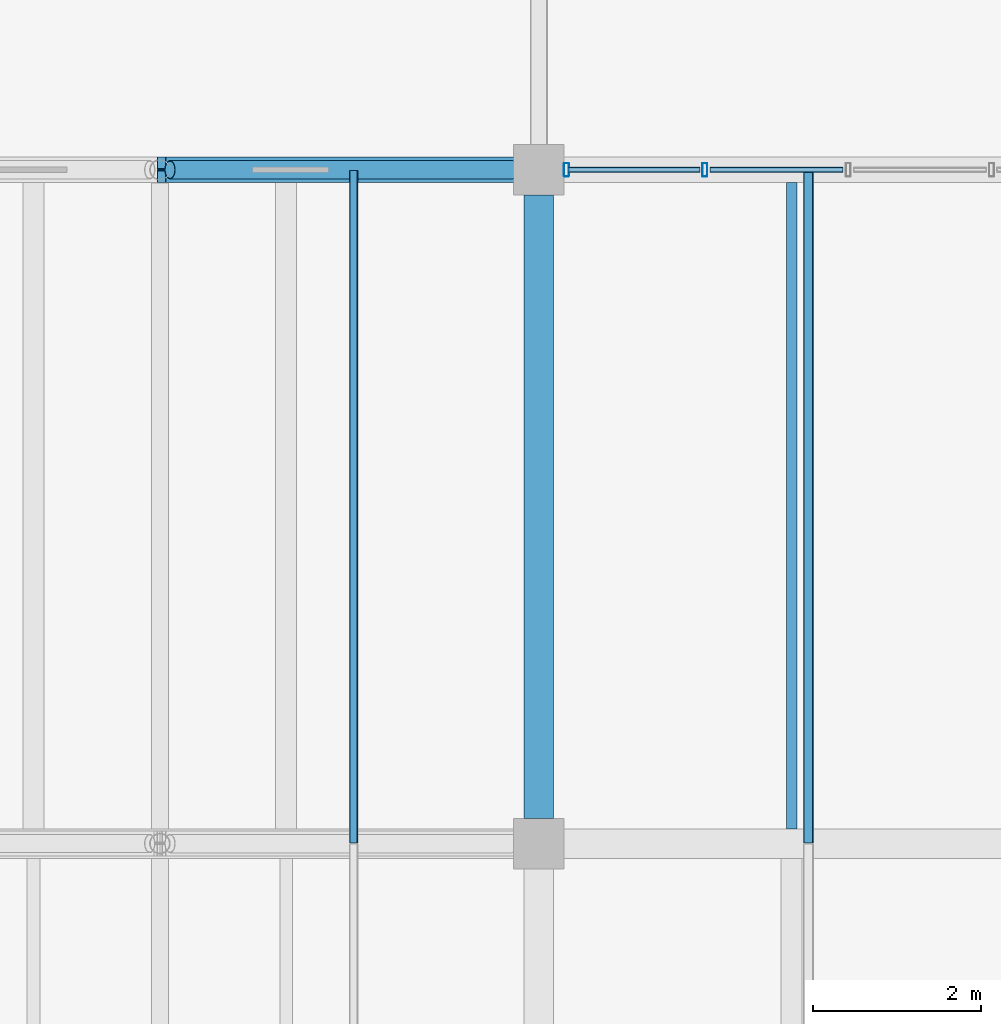
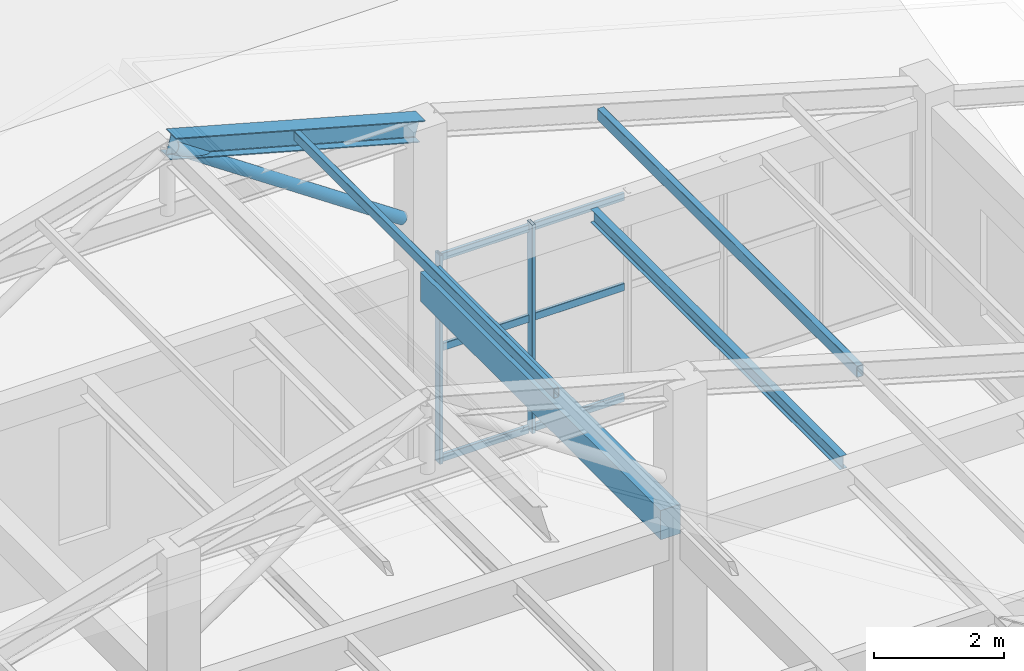
# One storey, part 40 of 58: 11 members, 3 beams, 1 element without a shape of its own.
"""IFC4 building model written with IfcOpenShell, lengths in metres."""

import ifcopenshell
import ifcopenshell.guid

model = None  # the IFC model being written
_history = None  # IfcOwnerHistory: only IFC2X3 demands one
_inside = {}  # id of a spatial element -> (the spatial element, [elements in it])
_under = {}  # id of a project, library or spatial element -> (it, [spatial elements below it])
_declared = {}  # id of a project -> (the project, [libraries it declares])
_typed = {}  # id of a type object -> (the type object, [elements of that type])
_made_of = {}  # id of a material, layer set ... -> (it, [elements and type objects made of it])


def new_model(schema):
    """Start an empty IFC model of exactly this schema.

    Asked for "IFC4X3", IfcOpenShell would pick the latest addendum, in which some entities
    have other attributes; the version numbers below select the first issue.
    IFC2X3 requires an IfcOwnerHistory on every rooted entity: one is made here for all.
    """
    global model, _history
    if schema == "IFC4X3":
        model = ifcopenshell.file(schema_version=(4, 3, 0, 0))
    else:
        model = ifcopenshell.file(schema=schema)
    _inside.clear()
    _under.clear()
    _declared.clear()
    _typed.clear()
    _made_of.clear()
    _history = None
    if model.schema == "IFC2X3":
        org = make("IfcOrganization", Name="unknown")
        user = make(
            "IfcPersonAndOrganization",
            ThePerson=make("IfcPerson", FamilyName="unknown"),
            TheOrganization=org,
        )
        app = make(
            "IfcApplication",
            ApplicationDeveloper=org,
            Version="unknown",
            ApplicationFullName="unknown",
            ApplicationIdentifier="unknown",
        )
        _history = make(
            "IfcOwnerHistory",
            OwningUser=user,
            OwningApplication=app,
            ChangeAction="ADDED",
            CreationDate=0,
        )
    return model


def make(cls, **values):
    """One entity of the class cls with the attributes given. An attribute that is None is left unset."""
    return model.create_entity(
        cls, **{name: value for name, value in values.items() if value is not None}
    )


def rooted(cls, **values):
    """An entity with a GlobalId (a new one), such as an element, a storey or a relation."""
    return make(cls, GlobalId=ifcopenshell.guid.new(), OwnerHistory=_history, **values)


def si_unit(unit_type, name, prefix=None):
    """IfcSIUnit, for example si_unit("LENGTHUNIT", "METRE", prefix="MILLI")."""
    return make("IfcSIUnit", UnitType=unit_type, Prefix=prefix, Name=name)


def derived_unit(unit_type, elements):
    """IfcDerivedUnit: a product of units, each with its exponent."""
    return make(
        "IfcDerivedUnit",
        Elements=[
            make("IfcDerivedUnitElement", Unit=unit, Exponent=power)
            for unit, power in elements
        ],
        UnitType=unit_type,
    )


def assignment(units):
    """IfcUnitAssignment: the units of a project."""
    return None if units is None else make("IfcUnitAssignment", Units=units)


def point(xyz):
    """IfcCartesianPoint."""
    return None if xyz is None else make("IfcCartesianPoint", Coordinates=xyz)


def direction(xyz):
    """IfcDirection."""
    return None if xyz is None else make("IfcDirection", DirectionRatios=xyz)


def frame(location, z_axis=None, x_axis=None):
    """IfcAxis2Placement3D, a coordinate frame: its origin and axes. An axis left out is left unset."""
    return make(
        "IfcAxis2Placement3D",
        Location=point(location),
        Axis=direction(z_axis),
        RefDirection=direction(x_axis),
    )


def frame_2d(location, x_axis=None):
    """IfcAxis2Placement2D, a coordinate frame in the plane: its origin and x axis."""
    return make(
        "IfcAxis2Placement2D", Location=point(location), RefDirection=direction(x_axis)
    )


def origin():
    """The frame at (0, 0, 0) with its axes left unset."""
    return frame((0.0, 0.0, 0.0))


def origin_2d():
    """The frame at (0, 0) in the plane with its x axis left unset."""
    return frame_2d((0.0, 0.0))


def place(relative_to, where):
    """IfcLocalPlacement: puts the frame where relative to a parent placement (None: the world)."""
    return make(
        "IfcLocalPlacement", PlacementRelTo=relative_to, RelativePlacement=where
    )


def context(
    kind, dimensions, precision=None, world=None, true_north=None, identifier=None
):
    """IfcGeometricRepresentationContext, for example the 3D "Model" context."""
    return make(
        "IfcGeometricRepresentationContext",
        ContextIdentifier=identifier,
        ContextType=kind,
        CoordinateSpaceDimension=dimensions,
        Precision=precision,
        WorldCoordinateSystem=world,
        TrueNorth=true_north,
    )


def subcontext(parent, identifier, kind, view, scale=None):
    """IfcGeometricRepresentationSubContext, for example "Body" below "Model"."""
    return make(
        "IfcGeometricRepresentationSubContext",
        ContextIdentifier=identifier,
        ContextType=kind,
        ParentContext=parent,
        TargetScale=scale,
        TargetView=view,
    )


def project(units=None, contexts=None):
    """IfcProject with its units and contexts."""
    return rooted(
        "IfcProject",
        Name="project",
        RepresentationContexts=contexts,
        UnitsInContext=assignment(units),
    )


def spatial(cls, under=None, at=None, **own):
    """A site, building, storey or space (cls), placed at a placement, below another one or the project."""
    s = rooted(cls, ObjectPlacement=at, **own)
    if under is not None:
        _under.setdefault(under.id(), (under, []))[1].append(s)
    return s


def profile(cls, at=None, kind="AREA", **sizes):
    """A parametric profile (cls). Its sizes go by their IFC names, for example OverallWidth=200.0."""
    return make(cls, ProfileType=kind, Position=at, **sizes)


def rectangle(**sizes):
    """IfcRectangleProfileDef."""
    return profile("IfcRectangleProfileDef", **sizes)


def hollow_rectangle(**sizes):
    """IfcRectangleHollowProfileDef."""
    return profile("IfcRectangleHollowProfileDef", **sizes)


def hollow_circle(**sizes):
    """IfcCircleHollowProfileDef."""
    return profile("IfcCircleHollowProfileDef", **sizes)


def i_section(**sizes):
    """IfcIShapeProfileDef."""
    return profile("IfcIShapeProfileDef", **sizes)


def extrude(swept, where, along, depth):
    """IfcExtrudedAreaSolid: the profile swept, set in the frame where, extruded along a direction by depth."""
    return make(
        "IfcExtrudedAreaSolid",
        SweptArea=swept,
        Position=where,
        ExtrudedDirection=direction(along),
        Depth=depth,
    )


def shape(context_of_items, identifier, shape_type, items):
    """IfcShapeRepresentation: the items that make up one representation, for example the "Body"."""
    return make(
        "IfcShapeRepresentation",
        ContextOfItems=context_of_items,
        RepresentationIdentifier=identifier,
        RepresentationType=shape_type,
        Items=items,
    )


def material(Name=None, Category=None):
    """IfcMaterial."""
    return make("IfcMaterial", Name=Name, Category=Category)


def material_profile(
    of_material, cross_section, Name=None, Category=None, Priority=None
):
    """IfcMaterialProfile: a cross section and its material."""
    return make(
        "IfcMaterialProfile",
        Name=Name,
        Material=of_material,
        Profile=cross_section,
        Priority=Priority,
        Category=Category,
    )


def profile_set(profiles, Name=None, composite=None):
    """IfcMaterialProfileSet."""
    return make(
        "IfcMaterialProfileSet",
        Name=Name,
        MaterialProfiles=profiles,
        CompositeProfile=composite,
    )


def made_of(thing, what):
    """Note that an element or type object is made of a material, layer set ...; save() writes the relation."""
    if what is not None:
        _made_of.setdefault(what.id(), (what, []))[1].append(thing)
    return thing


def type_object(cls, material=None, **own):
    """A type object (cls), such as IfcWallType, which elements share."""
    return made_of(rooted(cls, **own), material)


def element(
    cls,
    number,
    at=None,
    inside=None,
    cuts=None,
    type_object=None,
    material=None,
    context=None,
    identifier="Body",
    shape_type=None,
    held_by="IfcProductDefinitionShape",
    body=None,
    shapes=None,
    **own,
):
    """One element of the class cls, such as IfcWall. Its Tag is "e" and its number.

    at: its placement. inside: the storey or other place that contains it. cuts: it is an
    opening in that element (IfcRelVoidsElement). A single representation is given by context,
    identifier, shape_type and body (its items); several are given by shapes. held_by: the class
    of the entity that holds the representations. save() writes the other relations.
    """
    e = rooted(cls, Tag="e%d" % number, ObjectPlacement=at, **own)
    if body is not None:
        shapes = [shape(context, identifier, shape_type, body)]
    if shapes is not None:
        e.Representation = make(held_by, Representations=shapes)
    if inside is not None:
        _inside.setdefault(inside.id(), (inside, []))[1].append(e)
    if cuts is not None:
        rooted(
            "IfcRelVoidsElement", RelatingBuildingElement=cuts, RelatedOpeningElement=e
        )
    if type_object is not None:
        _typed.setdefault(type_object.id(), (type_object, []))[1].append(e)
    return made_of(e, material)


def aggregate(whole, parts):
    """IfcRelAggregates: a whole, such as a stair, and the parts it consists of."""
    return rooted("IfcRelAggregates", RelatingObject=whole, RelatedObjects=parts)


def save(model, path):
    """Write the relations noted so far, then the file.

    IfcRelAggregates (storeys below a building ...), IfcRelContainedInSpatialStructure (elements
    in a storey), IfcRelDefinesByType, IfcRelAssociatesMaterial and IfcRelDeclares: one each for
    every whole, place, type object, material and project.
    """
    for whole, parts in _under.values():
        aggregate(whole, parts)
    for where, things in _inside.values():
        rooted(
            "IfcRelContainedInSpatialStructure",
            RelatedElements=things,
            RelatingStructure=where,
        )
    for kind, things in _typed.values():
        rooted("IfcRelDefinesByType", RelatedObjects=things, RelatingType=kind)
    for what, things in _made_of.values():
        rooted("IfcRelAssociatesMaterial", RelatedObjects=things, RelatingMaterial=what)
    for by, libraries in _declared.values():
        rooted("IfcRelDeclares", RelatingContext=by, RelatedDefinitions=libraries)
    model.write(path)


model = new_model("IFC4")

# Units and contexts
model_context = context("Model", 3, precision=1e-05, world=origin(), true_north=direction((0.0, 1.0)))
body_context = subcontext(model_context, "Body", "Model", "MODEL_VIEW")
ifc_project = project(units=[si_unit("LENGTHUNIT", "METRE"), si_unit("AREAUNIT", "SQUARE_METRE"), si_unit("VOLUMEUNIT", "CUBIC_METRE"), si_unit("PLANEANGLEUNIT", "RADIAN"), si_unit("MASSUNIT", "GRAM", prefix="KILO"), derived_unit("THERMALTRANSMITTANCEUNIT", [(si_unit("MASSUNIT", "GRAM", prefix="KILO"), 1), (si_unit("TIMEUNIT", "SECOND"), -3), (si_unit("THERMODYNAMICTEMPERATUREUNIT", "KELVIN"), -1)])], contexts=[model_context])

# Site, building, storey
site_placement = place(None, origin())
site = spatial("IfcSite", under=ifc_project, at=site_placement, CompositionType="ELEMENT")
building_placement = place(site_placement, origin())
building = spatial("IfcBuilding", under=site, at=building_placement, Name="Zhenchuan Archway Interchange", CompositionType="ELEMENT")
storey_placement = place(building_placement, frame((0.0, 0.0, 22.800048828125)))
storey = spatial("IfcBuildingStorey", under=building, at=storey_placement, Name="L05", CompositionType="ELEMENT", Elevation=22.800048828125)

# Beams
ifc_material_1 = material(Name="Concrete C40", Category="concrete")
ifc_material_profile_1 = material_profile(ifc_material_1, rectangle(XDim=0.35009765625, YDim=0.550048828125, at=origin_2d()), Name="RC 350x550")
ifc_profile_set_1 = profile_set([ifc_material_profile_1], Name="Concrete C40")
beam_type_1 = type_object("IfcBeamType", Name="BM_RC_350x550", PredefinedType="BEAM", material=ifc_profile_set_1)
beam_1_placement = place(storey_placement, frame((162.0, 80.300048828125, 3.64501953125), z_axis=(0.0, 1.0, 0.0), x_axis=(-1.0, 0.0, 0.0)))
element("IfcBeam", 1, at=beam_1_placement, inside=storey, type_object=beam_type_1, Name="Beam 19:L-M (L05)", PredefinedType="BEAM", context=body_context, shape_type="SweptSolid", body=[
    extrude(rectangle(XDim=0.35009765625, YDim=0.550048828125, at=origin_2d()), origin(), (0.0, 0.0, 1.0), 7.39990234375),
])
ifc_material_2 = material(Name="Steel Q355", Category="steel")
ifc_material_profile_2 = material_profile(ifc_material_2, i_section(OverallWidth=0.300048828125, OverallDepth=0.389892578125, WebThickness=0.010009765625, FlangeThickness=0.01611328125, FilletRadius=0.02001953125, at=origin_2d()), Name="HM 390x300")
ifc_profile_set_2 = profile_set([ifc_material_profile_2], Name="Steel Q355")
beam_type_2 = type_object("IfcBeamType", Name="BM_STL_HM390", PredefinedType="BEAM", material=ifc_profile_set_2)
beam_2_placement = place(storey_placement, frame((157.52001953125, 88.0, 7.639892578125), z_axis=(0.964108539649, 0.0, -0.265508425055), x_axis=(0.0, 1.0, 0.0)))
element("IfcBeam", 2, at=beam_2_placement, inside=storey, type_object=beam_type_2, Name="ROOF TRUSS command wing T9 east apex rafter", PredefinedType="BEAM", context=body_context, shape_type="SweptSolid", body=[
    extrude(i_section(OverallWidth=0.300048828125, OverallDepth=0.389892578125, WebThickness=0.010009765625, FlangeThickness=0.01611328125, FilletRadius=0.02001953125, at=origin_2d()), origin(), (0.0, 0.0, 1.0), 4.5947265625),
])

# Curtain wall, members
ifc_material_3 = material(Name="Anodised Aluminium", Category="aluminium")
curtain_wall_type = type_object("IfcCurtainWallType", Name="CW_UNIT_2", PredefinedType="NOTDEFINED", material=ifc_material_3)
curtain_wall_placement = place(storey_placement, origin())
curtain_wall = element("IfcCurtainWall", 3, at=curtain_wall_placement, inside=storey, type_object=curtain_wall_type, Name="Unitised curtain wall CW:L05:205", PredefinedType="NOTDEFINED")
ifc_material_profile_3 = material_profile(ifc_material_3, hollow_rectangle(XDim=0.06005859375, YDim=0.159912109375, WallThickness=0.00390625, InnerFilletRadius=0.00390625, OuterFilletRadius=0.008056640625, at=origin_2d()), Name="ALU 160x60x4")
ifc_profile_set_3 = profile_set([ifc_material_profile_3], Name="Anodised Aluminium")
member_type_1 = type_object("IfcMemberType", Name="CW_MUL_150", PredefinedType="MULLION", material=ifc_profile_set_3)
member_1_placement = place(storey_placement, frame((162.327880859375, 88.0, 0.0), z_axis=(0.0, 0.0, 1.0), x_axis=(1.0, 0.0, 0.0)))
member_1 = element("IfcMember", 4, at=member_1_placement, type_object=member_type_1, Name="CW:L05:205 mullion 0", PredefinedType="MULLION", context=body_context, shape_type="SweptSolid", body=[
    extrude(hollow_rectangle(XDim=0.06005859375, YDim=0.159912109375, WallThickness=0.00390625, InnerFilletRadius=0.00390625, OuterFilletRadius=0.008056640625, at=origin_2d()), origin(), (0.0, 0.0, 1.0), 3.919921875),
])
member_2_placement = place(storey_placement, frame((163.970703125, 88.0, 0.0), z_axis=(0.0, 0.0, 1.0), x_axis=(1.0, 0.0, 0.0)))
member_2 = element("IfcMember", 5, at=member_2_placement, type_object=member_type_1, Name="CW:L05:205 mullion 1", PredefinedType="MULLION", context=body_context, shape_type="SweptSolid", body=[
    extrude(hollow_rectangle(XDim=0.06005859375, YDim=0.159912109375, WallThickness=0.00390625, InnerFilletRadius=0.00390625, OuterFilletRadius=0.008056640625, at=origin_2d()), origin(), (0.0, 0.0, 1.0), 3.919921875),
])
ifc_material_profile_4 = material_profile(ifc_material_3, hollow_rectangle(XDim=0.06005859375, YDim=0.139892578125, WallThickness=0.00341796875, InnerFilletRadius=0.00341796875, OuterFilletRadius=0.007080078125, at=origin_2d()), Name="ALU 140x60x3.5")
ifc_profile_set_4 = profile_set([ifc_material_profile_4], Name="Anodised Aluminium")
member_type_2 = type_object("IfcMemberType", Name="CW_TRN_140", PredefinedType="USERDEFINED", material=ifc_profile_set_4)
member_3_placement = place(storey_placement, frame((162.347900390625, 88.0, 0.06005859375), z_axis=(1.0, 0.0, 0.0), x_axis=(0.0, 1.0, 0.0)))
member_3 = element("IfcMember", 6, at=member_3_placement, type_object=member_type_2, Name="CW:L05:205 transom 0-1", ObjectType="TRANSOM", PredefinedType="USERDEFINED", context=body_context, shape_type="SweptSolid", body=[
    extrude(hollow_rectangle(XDim=0.06005859375, YDim=0.139892578125, WallThickness=0.00341796875, InnerFilletRadius=0.00341796875, OuterFilletRadius=0.007080078125, at=origin_2d()), origin(), (0.0, 0.0, 1.0), 1.56298828125),
])
member_4_placement = place(storey_placement, frame((162.347900390625, 88.0, 2.14501953125), z_axis=(1.0, 0.0, 0.0), x_axis=(0.0, 1.0, 0.0)))
member_4 = element("IfcMember", 7, at=member_4_placement, type_object=member_type_2, Name="CW:L05:205 transom 0-2", ObjectType="TRANSOM", PredefinedType="USERDEFINED", context=body_context, shape_type="SweptSolid", body=[
    extrude(hollow_rectangle(XDim=0.06005859375, YDim=0.139892578125, WallThickness=0.00341796875, InnerFilletRadius=0.00341796875, OuterFilletRadius=0.007080078125, at=origin_2d()), origin(), (0.0, 0.0, 1.0), 1.56298828125),
])
member_5_placement = place(storey_placement, frame((162.347900390625, 88.0, 3.83984375), z_axis=(1.0, 0.0, 0.0), x_axis=(0.0, 1.0, 0.0)))
member_5 = element("IfcMember", 8, at=member_5_placement, type_object=member_type_2, Name="CW:L05:205 transom 0-3", ObjectType="TRANSOM", PredefinedType="USERDEFINED", context=body_context, shape_type="SweptSolid", body=[
    extrude(hollow_rectangle(XDim=0.06005859375, YDim=0.139892578125, WallThickness=0.00341796875, InnerFilletRadius=0.00341796875, OuterFilletRadius=0.007080078125, at=origin_2d()), origin(), (0.0, 0.0, 1.0), 1.56298828125),
])
member_6_placement = place(storey_placement, frame((164.03076171875, 88.0, 0.06005859375), z_axis=(1.0, 0.0, 0.0), x_axis=(0.0, 1.0, 0.0)))
member_6 = element("IfcMember", 9, at=member_6_placement, type_object=member_type_2, Name="CW:L05:205 transom 1-1", ObjectType="TRANSOM", PredefinedType="USERDEFINED", context=body_context, shape_type="SweptSolid", body=[
    extrude(hollow_rectangle(XDim=0.06005859375, YDim=0.139892578125, WallThickness=0.00341796875, InnerFilletRadius=0.00341796875, OuterFilletRadius=0.007080078125, at=origin_2d()), origin(), (0.0, 0.0, 1.0), 1.582763671875),
])
member_7_placement = place(storey_placement, frame((164.03076171875, 88.0, 2.14501953125), z_axis=(1.0, 0.0, 0.0), x_axis=(0.0, 1.0, 0.0)))
member_7 = element("IfcMember", 10, at=member_7_placement, type_object=member_type_2, Name="CW:L05:205 transom 1-2", ObjectType="TRANSOM", PredefinedType="USERDEFINED", context=body_context, shape_type="SweptSolid", body=[
    extrude(hollow_rectangle(XDim=0.06005859375, YDim=0.139892578125, WallThickness=0.00341796875, InnerFilletRadius=0.00341796875, OuterFilletRadius=0.007080078125, at=origin_2d()), origin(), (0.0, 0.0, 1.0), 1.582763671875),
])
member_8_placement = place(storey_placement, frame((164.03076171875, 88.0, 3.83984375), z_axis=(1.0, 0.0, 0.0), x_axis=(0.0, 1.0, 0.0)))
member_8 = element("IfcMember", 11, at=member_8_placement, type_object=member_type_2, Name="CW:L05:205 transom 1-3", ObjectType="TRANSOM", PredefinedType="USERDEFINED", context=body_context, shape_type="SweptSolid", body=[
    extrude(hollow_rectangle(XDim=0.06005859375, YDim=0.139892578125, WallThickness=0.00341796875, InnerFilletRadius=0.00341796875, OuterFilletRadius=0.007080078125, at=origin_2d()), origin(), (0.0, 0.0, 1.0), 1.582763671875),
])
aggregate(curtain_wall, [member_1, member_2, member_3, member_4, member_5, member_6, member_7, member_8])

# Beam
ifc_material_profile_5 = material_profile(ifc_material_2, i_section(OverallWidth=0.125, OverallDepth=0.25, WebThickness=0.006103515625, FlangeThickness=0.009033203125, FilletRadius=0.011962890625, at=origin_2d()), Name="HN 250x125")
ifc_profile_set_5 = profile_set([ifc_material_profile_5], Name="Steel Q355")
beam_type_3 = type_object("IfcBeamType", Name="JST_STL_HN250", PredefinedType="JOIST", material=ifc_profile_set_5)
beam_3_placement = place(storey_placement, frame((165.0, 80.175048828125, 3.794921875), z_axis=(0.0, 1.0, 0.0), x_axis=(-1.0, 0.0, 0.0)))
element("IfcBeam", 12, at=beam_3_placement, inside=storey, type_object=beam_type_3, Name="Secondary joist 19-20/L-M #1 (L05)", PredefinedType="JOIST", context=body_context, shape_type="SweptSolid", body=[
    extrude(i_section(OverallWidth=0.125, OverallDepth=0.25, WebThickness=0.006103515625, FlangeThickness=0.009033203125, FilletRadius=0.011962890625, at=origin_2d()), origin(), (0.0, 0.0, 1.0), 7.675048828125),
])

# Members
ifc_material_profile_6 = material_profile(ifc_material_2, hollow_circle(Radius=0.109619140625, WallThickness=0.008056640625, at=origin_2d()), Name="CHS 219x8")
ifc_profile_set_6 = profile_set([ifc_material_profile_6], Name="Steel Q355")
member_type_3 = type_object("IfcMemberType", Name="MB_CHS219", PredefinedType="BRACE", material=ifc_profile_set_6)
member_9_placement = place(storey_placement, frame((161.679931640625, 88.0, 4.800048828125), z_axis=(-0.827937334182, 0.0, 0.560820622541), x_axis=(0.0, -1.0, 0.0)))
element("IfcMember", 13, at=member_9_placement, inside=storey, type_object=member_type_3, Name="ROOF TRUSS command wing T9 east apex diagonal", PredefinedType="BRACE", context=body_context, shape_type="SweptSolid", body=[
    extrude(hollow_circle(Radius=0.109619140625, WallThickness=0.008056640625, at=origin_2d()), origin(), (0.0, 0.0, 1.0), 4.903564453125),
])
ifc_material_profile_7 = material_profile(ifc_material_2, hollow_rectangle(XDim=0.10009765625, YDim=0.179931640625, WallThickness=0.006103515625, InnerFilletRadius=0.006103515625, OuterFilletRadius=0.011962890625, at=origin_2d()), Name="RHS 180x100x6")
ifc_profile_set_7 = profile_set([ifc_material_profile_7], Name="Steel Q355")
member_type_4 = type_object("IfcMemberType", Name="MB_RHS180", PredefinedType="PURLIN", material=ifc_profile_set_7)
member_10_placement = place(storey_placement, frame((159.800048828125, 80.008056640625, 7.02001953125), z_axis=(0.0, 1.0, 0.0), x_axis=(-1.0, 0.0, 0.0)))
element("IfcMember", 14, at=member_10_placement, inside=storey, type_object=member_type_4, Name="Command wing roof purlin B8-P4", PredefinedType="PURLIN", context=body_context, shape_type="SweptSolid", body=[
    extrude(hollow_rectangle(XDim=0.10009765625, YDim=0.179931640625, WallThickness=0.006103515625, InnerFilletRadius=0.006103515625, OuterFilletRadius=0.011962890625, at=origin_2d()), origin(), (0.0, 0.0, 1.0), 7.98388671875),
])
ifc_material_profile_8 = material_profile(ifc_material_2, hollow_rectangle(XDim=0.1201171875, YDim=0.219970703125, WallThickness=0.008056640625, InnerFilletRadius=0.008056640625, OuterFilletRadius=0.01611328125, at=origin_2d()), Name="RHS 220x120x8")
ifc_profile_set_8 = profile_set([ifc_material_profile_8], Name="Steel Q355")
member_type_5 = type_object("IfcMemberType", Name="MB_RHS220", PredefinedType="PURLIN", material=ifc_profile_set_8)
member_11_placement = place(storey_placement, frame((165.199951171875, 80.008056640625, 5.5400390625), z_axis=(0.0, 1.0, 0.0), x_axis=(-1.0, 0.0, 0.0)))
element("IfcMember", 15, at=member_11_placement, inside=storey, type_object=member_type_5, Name="Command wing roof purlin B8-P5", PredefinedType="PURLIN", context=body_context, shape_type="SweptSolid", body=[
    extrude(hollow_rectangle(XDim=0.1201171875, YDim=0.219970703125, WallThickness=0.008056640625, InnerFilletRadius=0.008056640625, OuterFilletRadius=0.01611328125, at=origin_2d()), origin(), (0.0, 0.0, 1.0), 7.98388671875),
])

save(model, "model.ifc")
